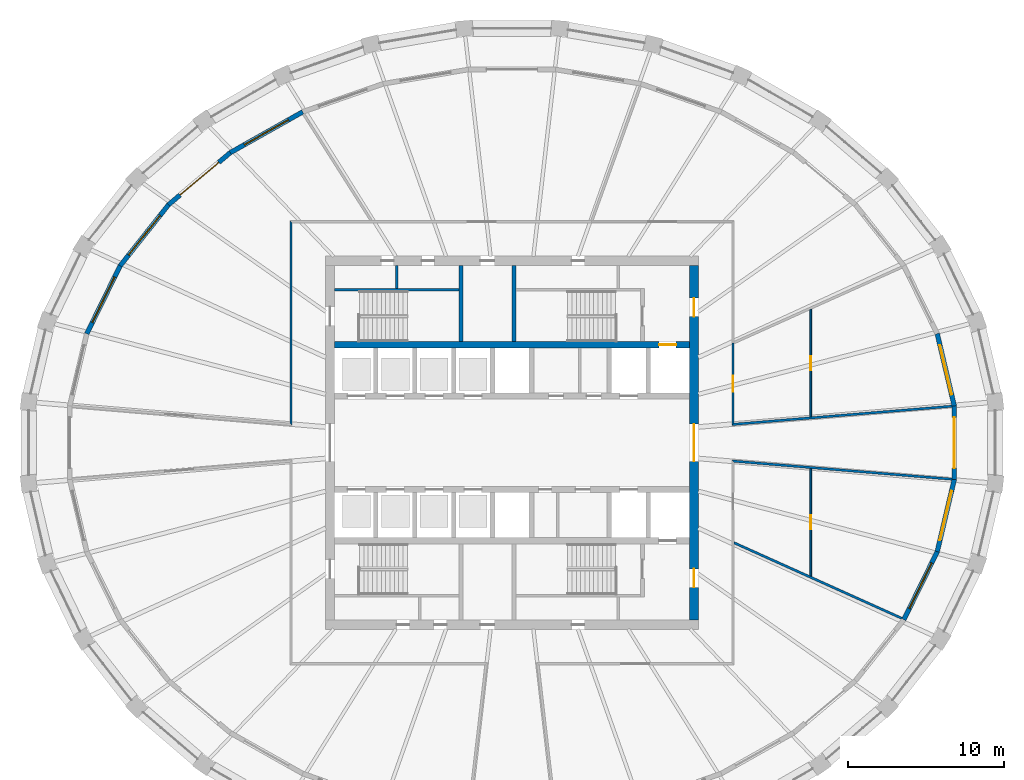
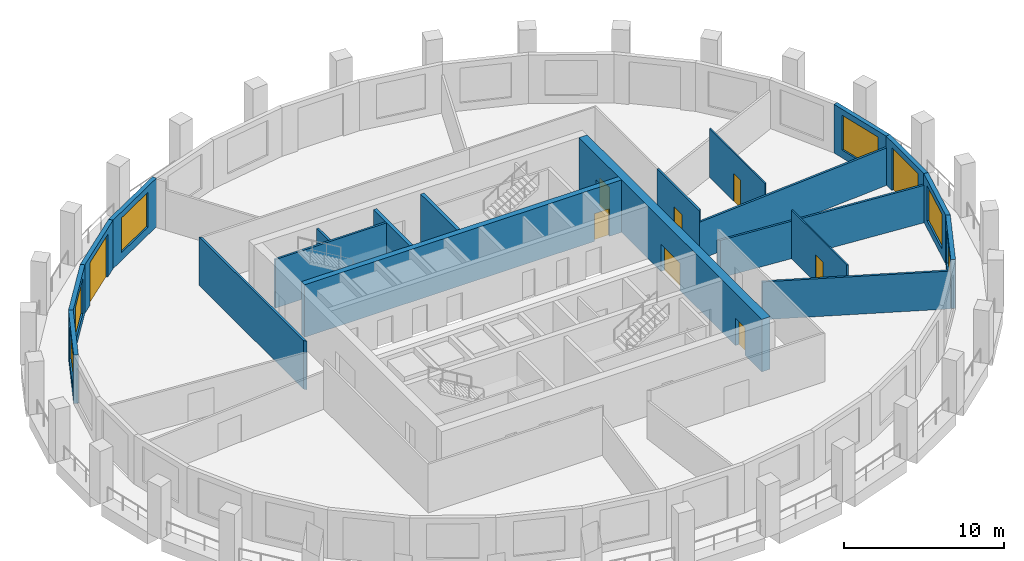
# One storey, part 5 of 10: 21 walls, 9 doors, 6 windows, 15 openings.
"""IFC4 building model written with IfcOpenShell, lengths in metres."""

from ifc_helpers import new_model, si_unit, direction, frame, frame_2d, origin, place, context, subcontext, project, spatial, polyline, rectangle, outline, extrude, material, layer, layer_set, type_object, element, fill, save


model = new_model("IFC4")

# Units and contexts
model_context = context("Model", 3, precision=1e-05, world=origin(), true_north=direction((0.0, 1.0)))
body_context = subcontext(model_context, "Body", "Model", "MODEL_VIEW")
ifc_project = project(units=[si_unit("LENGTHUNIT", "METRE"), si_unit("AREAUNIT", "SQUARE_METRE"), si_unit("VOLUMEUNIT", "CUBIC_METRE"), si_unit("PLANEANGLEUNIT", "RADIAN"), si_unit("MASSUNIT", "GRAM", prefix="KILO")], contexts=[model_context])

# Site, building, storey
site_placement = place(None, origin())
site = spatial("IfcSite", under=ifc_project, at=site_placement, CompositionType="ELEMENT")
building_placement = place(site_placement, origin())
building = spatial("IfcBuilding", under=site, at=building_placement, Name="Halqa Exchange Tower", CompositionType="ELEMENT")
storey_placement = place(building_placement, frame((0.0, 0.0, 242.89990234375)))
storey = spatial("IfcBuildingStorey", under=building, at=storey_placement, Name="L56", CompositionType="ELEMENT", Elevation=242.89990234375)

# Walls
ifc_material_1 = material(Name="Fire-rated gypsum board")
ifc_layer_1 = layer(ifc_material_1, 0.14990234375)
ifc_layer_set_1 = layer_set([ifc_layer_1], Name="Fire-rated gypsum board")
wall_type_1 = type_object("IfcWallType", Name="Fire partition EI 60 150", PredefinedType="PARTITIONING", material=ifc_layer_set_1)
wall_1_placement = place(storey_placement, frame((-14.199951171875, 1.098388671875, 0.0), z_axis=(0.0, 0.0, 1.0), x_axis=(0.0, 1.0, 0.0)))
element("IfcWall", 1, at=wall_1_placement, inside=storey, type_object=wall_type_1, Name="L56-PWL-004", PredefinedType="PARTITIONING", context=body_context, shape_type="SweptSolid", body=[
    extrude(outline(polyline([(0.000244140625, -0.074951171875), (1.861083984375, -0.074951171875), (3.721923828125, -0.074951171875), (5.5830078125, -0.074951171875), (7.44384765625, -0.074951171875), (9.3046875, -0.074951171875), (11.165771484375, -0.074951171875), (13.026611328125, -0.074951171875), (13.176513671875, 0.074951171875), (11.3173828125, 0.074951171875), (9.458251953125, 0.074951171875), (7.599365234375, 0.074951171875), (5.740234375, 0.074951171875), (3.881103515625, 0.074951171875), (2.02197265625, 0.074951171875), (0.1630859375, 0.074951171875), (0.000244140625, -0.074951171875)])), origin(), (0.0, 0.0, 1.0), 3.7001953125),
])
wall_2_placement = place(storey_placement, frame((14.24462890625, -6.420166015625, 0.0), z_axis=(0.0, 0.0, 1.0), x_axis=(0.911879517983, -0.410457969448, 0.0)))
element("IfcWall", 2, at=wall_2_placement, inside=storey, type_object=wall_type_1, Name="L56-PWL-014", PredefinedType="PARTITIONING", context=body_context, shape_type="SweptSolid", body=[
    extrude(outline(polyline([(0.067138671875, -0.074951171875), (2.029052734375, -0.074951171875), (3.9912109375, -0.074951171875), (5.953369140625, -0.074951171875), (7.91552734375, -0.074951171875), (9.877685546875, -0.074951171875), (11.83984375, -0.074951171875), (11.857666015625, -0.00390625), (11.8603515625, 0.074951171875), (10.232666015625, 0.074951171875), (8.604736328125, 0.074951171875), (6.97705078125, 0.074951171875), (5.349365234375, 0.074951171875), (5.34619140625, 0.073486328125), (5.345703125, 0.074951171875), (3.563720703125, 0.074951171875), (1.781982421875, 0.074951171875), (0.0, 0.074951171875), (0.0, 0.073974609375), (0.067138671875, -0.074951171875)])), origin(), (0.0, 0.0, 1.0), 2.880126953125),
])
wall_3_placement = place(storey_placement, frame((14.118896484375, -1.17333984375, 0.0), z_axis=(0.0, 0.0, 1.0), x_axis=(0.996590090632, -0.082511764333, 0.0)))
element("IfcWall", 3, at=wall_3_placement, inside=storey, type_object=wall_type_1, Name="L56-PWL-015", PredefinedType="PARTITIONING", context=body_context, shape_type="SweptSolid", body=[
    extrude(outline(polyline([(0.162841796875, -0.074951171875), (1.8232421875, -0.074951171875), (3.48388671875, -0.074951171875), (5.144287109375, -0.074951171875), (5.15478515625, -0.073974609375), (5.15478515625, -0.074951171875), (6.96240234375, -0.074951171875), (8.77001953125, -0.074951171875), (10.577392578125, -0.074951171875), (12.385009765625, -0.074951171875), (14.192626953125, -0.074951171875), (14.196533203125, -0.04833984375), (14.196533203125, 0.074951171875), (12.421875, 0.074951171875), (10.6474609375, 0.074951171875), (8.872802734375, 0.074951171875), (7.098388671875, 0.074951171875), (5.32373046875, 0.074951171875), (3.549072265625, 0.074951171875), (1.774658203125, 0.074951171875), (0.0, 0.074951171875), (0.081298828125, 0.0), (0.162841796875, -0.074951171875)])), origin(), (0.0, 0.0, 1.0), 2.85009765625),
])
wall_4_placement = place(storey_placement, frame((14.118896484375, 1.17333984375, 0.0), z_axis=(0.0, 0.0, 1.0), x_axis=(0.996590090632, 0.082511764333, 0.0)))
element("IfcWall", 4, at=wall_4_placement, inside=storey, type_object=wall_type_1, Name="L56-PWL-016", PredefinedType="PARTITIONING", context=body_context, shape_type="SweptSolid", body=[
    extrude(outline(polyline([(14.196533203125, -0.074951171875), (14.196533203125, 0.04833984375), (14.192626953125, 0.074951171875), (12.385009765625, 0.074951171875), (10.577392578125, 0.074951171875), (8.77001953125, 0.074951171875), (6.96240234375, 0.074951171875), (5.15478515625, 0.074951171875), (5.15478515625, 0.073974609375), (5.144287109375, 0.074951171875), (3.48388671875, 0.074951171875), (1.8232421875, 0.074951171875), (0.162841796875, 0.074951171875), (0.081298828125, 0.0), (0.0, -0.074951171875), (1.774658203125, -0.074951171875), (3.549072265625, -0.074951171875), (5.32373046875, -0.074951171875), (7.098388671875, -0.074951171875), (8.872802734375, -0.074951171875), (10.6474609375, -0.074951171875), (12.421875, -0.074951171875), (14.196533203125, -0.074951171875)])), origin(), (0.0, 0.0, 1.0), 2.85009765625),
])

# Wall, opening, door
wall_5_placement = place(storey_placement, frame((14.199951171875, 6.39990234375, 0.0), z_axis=(0.0, 0.0, 1.0), x_axis=(0.0, -1.0, 0.0)))
wall_5 = element("IfcWall", 5, at=wall_5_placement, inside=storey, type_object=wall_type_1, Name="L56-PWL-017", PredefinedType="PARTITIONING", context=body_context, shape_type="SweptSolid", body=[
    extrude(outline(polyline([(0.0, -0.074951171875), (1.76708984375, -0.074951171875), (3.5341796875, -0.074951171875), (5.30126953125, -0.074951171875), (5.138427734375, 0.074951171875), (3.42578125, 0.074951171875), (1.712890625, 0.074951171875), (0.0, 0.074951171875), (0.0, -0.074951171875)])), origin(), (0.0, 0.0, 1.0), 3.7001953125),
])
opening_1_placement = place(wall_5_placement, frame((2.110107421875, 0.0, 0.0)))
opening_1 = element("IfcOpeningElement", 6, at=opening_1_placement, cuts=wall_5, Name="Opening 17-04", PredefinedType="OPENING", context=body_context, shape_type="SweptSolid", body=[
    extrude(rectangle(XDim=1.0, YDim=2.10009765625, at=frame_2d((0.5, 1.050048828125))), frame((0.0, 0.0869140625, 0.0), z_axis=(0.0, -1.0, 0.0), x_axis=(1.0, 0.0, 0.0)), (0.0, 0.0, 1.0), 0.173828125),
])
ifc_material_2 = material(Name="Steel fire door leaf", Category="steel")
door_type_1 = type_object("IfcDoorType", Name="Fire door FD30S 1000 x 2100", OperationType="SINGLE_SWING_LEFT", PredefinedType="DOOR", material=ifc_material_2)
door_1_placement = place(opening_1_placement, origin())
door_1 = element("IfcDoor", 7, at=door_1_placement, inside=storey, type_object=door_type_1, Name="L56-IDR-004", OperationType="SINGLE_SWING_RIGHT", OverallHeight=2.10009765625, OverallWidth=1.0, PredefinedType="DOOR", context=body_context, shape_type="SweptSolid", body=[
    extrude(rectangle(XDim=1.0, YDim=2.10009765625, at=frame_2d((0.5, 1.050048828125))), frame((0.0, 0.02490234375, 0.0), z_axis=(0.0, -1.0, 0.0), x_axis=(1.0, 0.0, 0.0)), (0.0, 0.0, 1.0), 0.050048828125),
])
fill(opening_1, door_1)

ifc_material_3 = material(Name="Gypsum board")
ifc_layer_2 = layer(ifc_material_3, 0.10009765625)
ifc_layer_set_2 = layer_set([ifc_layer_2], Name="Gypsum board")
wall_type_2 = type_object("IfcWallType", Name="Partition 100 gypsum", PredefinedType="PARTITIONING", material=ifc_layer_set_2)
wall_6_placement = place(storey_placement, frame((19.199951171875, -1.66552734375, 0.0), z_axis=(0.0, 0.0, 1.0), x_axis=(0.0, -1.0, 0.0)))
wall_6 = element("IfcWall", 8, at=wall_6_placement, inside=storey, type_object=wall_type_2, Name="L56-PWL-020", PredefinedType="PARTITIONING", context=body_context, shape_type="SweptSolid", body=[
    extrude(outline(polyline([(0.0, -0.050048828125), (1.719970703125, -0.050048828125), (3.440185546875, -0.050048828125), (5.16015625, -0.050048828125), (6.88037109375, -0.050048828125), (6.925048828125, 0.04931640625), (6.925048828125, 0.050048828125), (5.19580078125, 0.050048828125), (3.466552734375, 0.050048828125), (1.737060546875, 0.050048828125), (0.0078125, 0.050048828125), (0.0, -0.044921875), (0.0, -0.050048828125)])), origin(), (0.0, 0.0, 1.0), 3.7001953125),
])
opening_2_placement = place(wall_6_placement, frame((3.00439453125, 0.0, 0.0)))
opening_2 = element("IfcOpeningElement", 9, at=opening_2_placement, cuts=wall_6, Name="Opening 17-08", PredefinedType="OPENING", context=body_context, shape_type="SweptSolid", body=[
    extrude(rectangle(XDim=0.89990234375, YDim=2.10009765625, at=frame_2d((0.449951171875, 1.050048828125))), frame((0.0, 0.06201171875, 0.0), z_axis=(0.0, -1.0, 0.0), x_axis=(1.0, 0.0, 0.0)), (0.0, 0.0, 1.0), 0.1240234375),
])
ifc_material_4 = material(Name="Timber door leaf", Category="wood")
door_type_2 = type_object("IfcDoorType", Name="Door 900 x 2100", OperationType="SINGLE_SWING_LEFT", PredefinedType="DOOR", material=ifc_material_4)
door_2_placement = place(opening_2_placement, frame((0.89990234375, 0.0, 0.0), z_axis=(0.0, 0.0, 1.0), x_axis=(-1.0, 0.0, 0.0)))
door_2 = element("IfcDoor", 10, at=door_2_placement, inside=storey, type_object=door_type_2, Name="L56-IDR-008", OperationType="SINGLE_SWING_RIGHT", OverallHeight=2.10009765625, OverallWidth=0.89990234375, PredefinedType="DOOR", context=body_context, shape_type="SweptSolid", body=[
    extrude(rectangle(XDim=0.89990234375, YDim=2.10009765625, at=frame_2d((0.449951171875, 1.050048828125))), frame((0.0, 0.02490234375, 0.0), z_axis=(0.0, -1.0, 0.0), x_axis=(1.0, 0.0, 0.0)), (0.0, 0.0, 1.0), 0.050048828125),
])
fill(opening_2, door_2)

wall_7_placement = place(storey_placement, frame((19.199951171875, 8.590087890625, 0.0), z_axis=(0.0, 0.0, 1.0), x_axis=(0.0, -1.0, 0.0)))
wall_7 = element("IfcWall", 11, at=wall_7_placement, inside=storey, type_object=wall_type_2, Name="L56-PWL-021", PredefinedType="PARTITIONING", context=body_context, shape_type="SweptSolid", body=[
    extrude(outline(polyline([(6.924560546875, -0.050048828125), (6.924560546875, -0.044921875), (6.916748046875, 0.050048828125), (5.1875, 0.050048828125), (3.458251953125, 0.050048828125), (1.729248046875, 0.050048828125), (0.0, 0.050048828125), (0.0, 0.049560546875), (0.044921875, -0.050048828125), (1.7646484375, -0.050048828125), (3.484619140625, -0.050048828125), (5.20458984375, -0.050048828125), (6.924560546875, -0.050048828125)])), origin(), (0.0, 0.0, 1.0), 3.7001953125),
])
opening_3_placement = place(wall_7_placement, frame((3.02001953125, 0.0, 0.0)))
opening_3 = element("IfcOpeningElement", 12, at=opening_3_placement, cuts=wall_7, Name="Opening 17-09", PredefinedType="OPENING", context=body_context, shape_type="SweptSolid", body=[
    extrude(rectangle(XDim=0.89990234375, YDim=2.10009765625, at=frame_2d((0.449951171875, 1.050048828125))), frame((0.0, 0.06201171875, 0.0), z_axis=(0.0, -1.0, 0.0), x_axis=(1.0, 0.0, 0.0)), (0.0, 0.0, 1.0), 0.1240234375),
])
door_3_placement = place(opening_3_placement, frame((0.89990234375, 0.0, 0.0), z_axis=(0.0, 0.0, 1.0), x_axis=(-1.0, 0.0, 0.0)))
door_3 = element("IfcDoor", 13, at=door_3_placement, inside=storey, type_object=door_type_2, Name="L56-IDR-009", OperationType="SINGLE_SWING_RIGHT", OverallHeight=2.10009765625, OverallWidth=0.89990234375, PredefinedType="DOOR", context=body_context, shape_type="SweptSolid", body=[
    extrude(rectangle(XDim=0.89990234375, YDim=2.10009765625, at=frame_2d((0.449951171875, 1.050048828125))), frame((0.0, 0.02490234375, 0.0), z_axis=(0.0, -1.0, 0.0), x_axis=(1.0, 0.0, 0.0)), (0.0, 0.0, 1.0), 0.050048828125),
])
fill(opening_3, door_3)

# Wall
ifc_layer_3 = layer(ifc_material_3, 0.14990234375)
ifc_layer_set_3 = layer_set([ifc_layer_3], Name="Gypsum board")
wall_type_3 = type_object("IfcWallType", Name="Penthouse riser wall 150 gypsum", PredefinedType="PARTITIONING", material=ifc_layer_set_3)
wall_8_placement = place(storey_placement, frame((-7.39990234375, 9.89990234375, 0.0), z_axis=(0.0, 0.0, 1.0), x_axis=(0.0, 1.0, 0.0)))
element("IfcWall", 14, at=wall_8_placement, inside=storey, type_object=wall_type_3, Name="Partition W7.400 N", PredefinedType="PARTITIONING", context=body_context, shape_type="SweptSolid", body=[
    extrude(rectangle(XDim=1.5, YDim=0.14990234375, at=frame_2d((0.75, 0.0))), origin(), (0.0, 0.0, 1.0), 3.7001953125),
])

# Wall, opening, door
ifc_material_5 = material(Name="Concrete C70/85", Category="concrete")
ifc_layer_4 = layer(ifc_material_5, 0.39990234375)
ifc_layer_set_4 = layer_set([ifc_layer_4], Name="Concrete C70/85")
wall_type_4 = type_object("IfcWallType", Name="RC core wall 400 C70/85", PredefinedType="SHEAR", material=ifc_layer_set_4)
wall_9_placement = place(storey_placement, frame((-11.39990234375, 6.300048828125, 0.0), z_axis=(0.0, 0.0, 1.0), x_axis=(1.0, 0.0, 0.0)))
wall_9 = element("IfcWall", 15, at=wall_9_placement, inside=storey, type_object=wall_type_4, Name="Lift row back wall N", PredefinedType="SHEAR", context=body_context, shape_type="SweptSolid", body=[
    extrude(rectangle(XDim=22.7998046875, YDim=0.39990234375, at=frame_2d((11.39990234375, 0.0))), origin(), (0.0, 0.0, 1.0), 4.0),
])
opening_4_placement = place(wall_9_placement, frame((20.85009765625, 0.0, 0.0)))
opening_4 = element("IfcOpeningElement", 16, at=opening_4_placement, cuts=wall_9, Name="Opening LD-FF1-T17", PredefinedType="OPENING", context=body_context, shape_type="SweptSolid", body=[
    extrude(rectangle(XDim=1.10009765625, YDim=2.10009765625, at=frame_2d((0.550048828125, 1.050048828125))), frame((0.0, 0.2119140625, 0.0), z_axis=(0.0, -1.0, 0.0), x_axis=(1.0, 0.0, 0.0)), (0.0, 0.0, 1.0), 0.423828125),
])
ifc_material_6 = material(Name="Stainless steel", Category="steel")
door_type_3 = type_object("IfcDoorType", Name="Lift landing door 1100 x 2100", OperationType="SLIDING_TO_LEFT", PredefinedType="DOOR", material=ifc_material_6)
door_4_placement = place(opening_4_placement, origin())
door_4 = element("IfcDoor", 17, at=door_4_placement, inside=storey, type_object=door_type_3, Name="Lift landing door FF1", OperationType="SLIDING_TO_LEFT", OverallHeight=2.10009765625, OverallWidth=1.10009765625, PredefinedType="DOOR", context=body_context, shape_type="SweptSolid", body=[
    extrude(rectangle(XDim=1.10009765625, YDim=2.10009765625, at=frame_2d((0.550048828125, 1.050048828125))), frame((0.0, 0.02490234375, 0.0), z_axis=(0.0, -1.0, 0.0), x_axis=(1.0, 0.0, 0.0)), (0.0, 0.0, 1.0), 0.050048828125),
])
fill(opening_4, door_4)

# Wall, openings, doors
ifc_layer_5 = layer(ifc_material_5, 0.60009765625)
ifc_layer_set_5 = layer_set([ifc_layer_5], Name="Concrete C70/85")
wall_type_5 = type_object("IfcWallType", Name="RC core wall 600 C70/85", PredefinedType="SHEAR", material=ifc_layer_set_5)
wall_10_placement = place(storey_placement, frame((11.699951171875, -11.39990234375, 0.0), z_axis=(0.0, 0.0, 1.0), x_axis=(0.0, 1.0, 0.0)))
wall_10 = element("IfcWall", 18, at=wall_10_placement, inside=storey, type_object=wall_type_5, Name="Core wall east", PredefinedType="SHEAR", context=body_context, shape_type="SweptSolid", body=[
    extrude(rectangle(XDim=22.7998046875, YDim=0.60009765625, at=frame_2d((11.39990234375, 0.0))), origin(), (0.0, 0.0, 1.0), 4.0),
])
opening_5_placement = place(wall_10_placement, frame((10.199951171875, 0.0, 0.0)))
opening_5 = element("IfcOpeningElement", 19, at=opening_5_placement, cuts=wall_10, Name="Opening T17-C14", PredefinedType="OPENING", context=body_context, shape_type="SweptSolid", body=[
    extrude(rectangle(XDim=2.39990234375, YDim=2.10009765625, at=frame_2d((1.199951171875, 1.050048828125))), frame((0.0, 0.31201171875, 0.0), z_axis=(0.0, -1.0, 0.0), x_axis=(1.0, 0.0, 0.0)), (0.0, 0.0, 1.0), 0.6240234375),
])
opening_6_placement = place(wall_10_placement, frame((19.5, 0.0, 0.0)))
opening_6 = element("IfcOpeningElement", 20, at=opening_6_placement, cuts=wall_10, Name="Opening T17-C19", PredefinedType="OPENING", context=body_context, shape_type="SweptSolid", body=[
    extrude(rectangle(XDim=1.199951171875, YDim=2.10009765625, at=frame_2d((0.60009765625, 1.050048828125))), frame((0.0, 0.31201171875, 0.0), z_axis=(0.0, -1.0, 0.0), x_axis=(1.0, 0.0, 0.0)), (0.0, 0.0, 1.0), 0.6240234375),
])
opening_7_placement = place(wall_10_placement, frame((2.10009765625, 0.0, 0.0)))
opening_7 = element("IfcOpeningElement", 21, at=opening_7_placement, cuts=wall_10, Name="Opening T17-C20", PredefinedType="OPENING", context=body_context, shape_type="SweptSolid", body=[
    extrude(rectangle(XDim=1.199951171875, YDim=2.10009765625, at=frame_2d((0.60009765625, 1.050048828125))), frame((0.0, 0.31201171875, 0.0), z_axis=(0.0, -1.0, 0.0), x_axis=(1.0, 0.0, 0.0)), (0.0, 0.0, 1.0), 0.6240234375),
])
door_type_4 = type_object("IfcDoorType", Name="Firefighting lobby door FD90 1200 x 2100", OperationType="SINGLE_SWING_RIGHT", PredefinedType="DOOR", material=ifc_material_2)
door_5_placement = place(opening_6_placement, origin())
door_5 = element("IfcDoor", 22, at=door_5_placement, inside=storey, type_object=door_type_4, Name="Firefighting lobby door", OperationType="SINGLE_SWING_RIGHT", OverallHeight=2.10009765625, OverallWidth=1.199951171875, PredefinedType="DOOR", context=body_context, shape_type="SweptSolid", body=[
    extrude(rectangle(XDim=1.199951171875, YDim=2.10009765625, at=frame_2d((0.60009765625, 1.050048828125))), frame((0.0, 0.02490234375, 0.0), z_axis=(0.0, -1.0, 0.0), x_axis=(1.0, 0.0, 0.0)), (0.0, 0.0, 1.0), 0.050048828125),
])
fill(opening_6, door_5)
door_6_placement = place(opening_7_placement, origin())
door_6 = element("IfcDoor", 23, at=door_6_placement, inside=storey, type_object=door_type_4, Name="Firefighting lobby door", OperationType="SINGLE_SWING_LEFT", OverallHeight=2.10009765625, OverallWidth=1.199951171875, PredefinedType="DOOR", context=body_context, shape_type="SweptSolid", body=[
    extrude(rectangle(XDim=1.199951171875, YDim=2.10009765625, at=frame_2d((0.60009765625, 1.050048828125))), frame((0.0, 0.02490234375, 0.0), z_axis=(0.0, -1.0, 0.0), x_axis=(1.0, 0.0, 0.0)), (0.0, 0.0, 1.0), 0.050048828125),
])
fill(opening_7, door_6)
door_type_5 = type_object("IfcDoorType", Name="Lobby double door FD60 2400 x 2100", OperationType="DOUBLE_DOOR_SINGLE_SWING", PredefinedType="DOOR", material=ifc_material_2)
door_7_placement = place(opening_5_placement, origin())
door_7 = element("IfcDoor", 24, at=door_7_placement, inside=storey, type_object=door_type_5, Name="Lift lobby double door", OperationType="DOUBLE_DOOR_SINGLE_SWING", OverallHeight=2.10009765625, OverallWidth=2.39990234375, PredefinedType="DOOR", context=body_context, shape_type="SweptSolid", body=[
    extrude(rectangle(XDim=2.39990234375, YDim=2.10009765625, at=frame_2d((1.199951171875, 1.050048828125))), frame((0.0, 0.02490234375, 0.0), z_axis=(0.0, -1.0, 0.0), x_axis=(1.0, 0.0, 0.0)), (0.0, 0.0, 1.0), 0.050048828125),
])
fill(opening_5, door_7)

# Walls
ifc_material_7 = material(Name="Concrete C30/37", Category="concrete")
ifc_layer_6 = layer(ifc_material_7, 0.14990234375)
ifc_layer_set_6 = layer_set([ifc_layer_6], Name="Concrete C30/37")
wall_type_6 = type_object("IfcWallType", Name="RC stair wall 150 C30/37", PredefinedType="SHEAR", material=ifc_layer_set_6)
wall_11_placement = place(storey_placement, frame((-11.39990234375, 9.824951171875, 0.0), z_axis=(0.0, 0.0, 1.0), x_axis=(1.0, 0.0, 0.0)))
element("IfcWall", 25, at=wall_11_placement, inside=storey, type_object=wall_type_6, Name="Stair ST1 north wall N", PredefinedType="SHEAR", context=body_context, shape_type="SweptSolid", body=[
    extrude(rectangle(XDim=8.0, YDim=0.14990234375, at=frame_2d((4.0, 0.0))), origin(), (0.0, 0.0, 1.0), 3.7001953125),
])
ifc_layer_7 = layer(ifc_material_7, 0.25)
ifc_layer_set_7 = layer_set([ifc_layer_7], Name="Concrete C30/37")
wall_type_7 = type_object("IfcWallType", Name="RC stair wall 250 C30/37", PredefinedType="SHEAR", material=ifc_layer_set_7)
for number, where, z_axis, x_axis, name in (
    (26, (-3.27490234375, 6.5, 0.0), (0.0, 0.0, 1.0), (0.0, 1.0, 0.0), "Stair ST1 east wall N"),
    (27, (0.125, 6.5, 0.0), (0.0, 0.0, 1.0), (0.0, 1.0, 0.0), "Stair ST2 west wall N"),
):
    element("IfcWall", number, at=place(storey_placement, frame(where, z_axis=z_axis, x_axis=x_axis)), inside=storey, type_object=wall_type_7, Name=name, PredefinedType="SHEAR", context=body_context, shape_type="SweptSolid", body=[
        extrude(rectangle(XDim=4.89990234375, YDim=0.25, at=frame_2d((2.449951171875, 0.0))), origin(), (0.0, 0.0, 1.0), 3.7001953125),
    ])

# Wall, opening, window
ifc_material_8 = material(Name="Limestone cladding", Category="masonry")
ifc_layer_8 = layer(ifc_material_8, 0.0400390625)
ifc_material_9 = material(Name="Ventilated cavity")
ifc_layer_9 = layer(ifc_material_9, 0.030029296875, ventilated=True)
ifc_material_10 = material(Name="Mineral wool insulation")
ifc_layer_10 = layer(ifc_material_10, 0.10009765625)
ifc_layer_11 = layer(ifc_material_7, 0.10009765625)
ifc_material_11 = material(Name="Internal plaster")
ifc_layer_12 = layer(ifc_material_11, 0.030029296875)
ifc_layer_set_8 = layer_set([ifc_layer_8, ifc_layer_9, ifc_layer_10, ifc_layer_11, ifc_layer_12], Name="Stone-faced insulated wall 300")
wall_type_8 = type_object("IfcWallType", Name="Stone-faced insulated wall 300", PredefinedType="STANDARD", material=ifc_layer_set_8)
wall_12_placement = place(storey_placement, frame((28.423583984375, 2.365234375, 0.0), z_axis=(0.0, 0.0, 1.0), x_axis=(-0.229593205094, 0.973286679337, 0.0)))
wall_12 = element("IfcWall", 28, at=wall_12_placement, inside=storey, type_object=wall_type_8, Name="Glass-line wall 1", PredefinedType="STANDARD", context=body_context, shape_type="SweptSolid", body=[
    extrude(outline(polyline([(-0.017578125, -0.14990234375), (4.78271484375, -0.14990234375), (4.7490234375, 0.14990234375), (0.017578125, 0.14990234375), (-0.017578125, -0.14990234375)])), origin(), (0.0, 0.0, 1.0), 3.7001953125),
])
opening_8_placement = place(wall_12_placement, frame((0.758056640625, 0.0, 0.60009765625)))
opening_8 = element("IfcOpeningElement", 29, at=opening_8_placement, cuts=wall_12, Name="Opening W-F3-01", PredefinedType="OPENING", context=body_context, shape_type="SweptSolid", body=[
    extrude(rectangle(XDim=3.25, YDim=2.64990234375, at=frame_2d((1.625, 1.324951171875))), frame((0.0, 0.162109375, 0.0), z_axis=(0.0, -1.0, 0.0), x_axis=(1.0, 0.0, 0.0)), (0.0, 0.0, 1.0), 0.323974609375),
])
ifc_material_12 = material(Name="Clear low-emissivity glass in aluminium frame", Category="aluminium")
window_type = type_object("IfcWindowType", Name="Fixed clear glazed window 3250 x 2650", PartitioningType="TRIPLE_PANEL_VERTICAL", PredefinedType="WINDOW", material=ifc_material_12)
window_1_placement = place(opening_8_placement, origin())
window_1 = element("IfcWindow", 30, at=window_1_placement, inside=storey, type_object=window_type, Name="Window 3", OverallHeight=2.64990234375, OverallWidth=3.25, PartitioningType="TRIPLE_PANEL_VERTICAL", PredefinedType="WINDOW", context=body_context, shape_type="SweptSolid", body=[
    extrude(rectangle(XDim=3.25, YDim=2.64990234375, at=frame_2d((1.625, 1.324951171875))), frame((0.0, 0.030029296875, 0.0), z_axis=(0.0, -1.0, 0.0), x_axis=(1.0, 0.0, 0.0)), (0.0, 0.0, 1.0), 0.06005859375),
])
fill(opening_8, window_1)

wall_13_placement = place(storey_placement, frame((-13.45458984375, 21.260986328125, 0.0), z_axis=(0.0, 0.0, 1.0), x_axis=(-0.871275151053, -0.490794876865, 0.0)))
wall_13 = element("IfcWall", 31, at=wall_13_placement, inside=storey, type_object=wall_type_8, Name="Glass-line wall 11", PredefinedType="STANDARD", context=body_context, shape_type="SweptSolid", body=[
    extrude(outline(polyline([(-0.013427734375, -0.14990234375), (5.356689453125, -0.14990234375), (5.328369140625, 0.14990234375), (0.013427734375, 0.14990234375), (-0.013427734375, -0.14990234375)])), origin(), (0.0, 0.0, 1.0), 3.7001953125),
])
opening_9_placement = place(wall_13_placement, frame((1.046142578125, 0.0, 0.60009765625)))
opening_9 = element("IfcOpeningElement", 32, at=opening_9_placement, cuts=wall_13, Name="Opening W-F3-11", PredefinedType="OPENING", context=body_context, shape_type="SweptSolid", body=[
    extrude(rectangle(XDim=3.25, YDim=2.64990234375, at=frame_2d((1.625, 1.324951171875))), frame((0.0, 0.162109375, 0.0), z_axis=(0.0, -1.0, 0.0), x_axis=(1.0, 0.0, 0.0)), (0.0, 0.0, 1.0), 0.323974609375),
])
window_2_placement = place(opening_9_placement, origin())
window_2 = element("IfcWindow", 33, at=window_2_placement, inside=storey, type_object=window_type, Name="Window 3", OverallHeight=2.64990234375, OverallWidth=3.25, PartitioningType="TRIPLE_PANEL_VERTICAL", PredefinedType="WINDOW", context=body_context, shape_type="SweptSolid", body=[
    extrude(rectangle(XDim=3.25, YDim=2.64990234375, at=frame_2d((1.625, 1.324951171875))), frame((0.0, 0.030029296875, 0.0), z_axis=(0.0, -1.0, 0.0), x_axis=(1.0, 0.0, 0.0)), (0.0, 0.0, 1.0), 0.06005859375),
])
fill(opening_9, window_2)

# Wall, opening, door
wall_14_placement = place(storey_placement, frame((-18.109375, 18.638916015625, 0.0), z_axis=(0.0, 0.0, 1.0), x_axis=(-0.764530975429, -0.644586989948, 0.0)))
wall_14 = element("IfcWall", 34, at=wall_14_placement, inside=storey, type_object=wall_type_8, Name="Glass-line wall 12", PredefinedType="STANDARD", context=body_context, shape_type="SweptSolid", body=[
    extrude(outline(polyline([(-0.01416015625, -0.14990234375), (5.1953125, -0.14990234375), (5.1650390625, 0.14990234375), (0.01416015625, 0.14990234375), (-0.01416015625, -0.14990234375)])), origin(), (0.0, 0.0, 1.0), 3.7001953125),
])
opening_10_placement = place(wall_14_placement, frame((0.965087890625, 0.0, 0.0)))
opening_10 = element("IfcOpeningElement", 35, at=opening_10_placement, cuts=wall_14, Name="Opening LG-F3-03", PredefinedType="OPENING", context=body_context, shape_type="SweptSolid", body=[
    extrude(rectangle(XDim=3.25, YDim=3.25, at=frame_2d((1.625, 1.625))), frame((0.0, 0.162109375, 0.0), z_axis=(0.0, -1.0, 0.0), x_axis=(1.0, 0.0, 0.0)), (0.0, 0.0, 1.0), 0.323974609375),
])
door_type_6 = type_object("IfcDoorType", Name="Glazed sliding loggia door 3250 x 3250", OperationType="DOUBLE_DOOR_SLIDING", PredefinedType="DOOR", material=ifc_material_12)
door_8_placement = place(opening_10_placement, origin())
door_8 = element("IfcDoor", 36, at=door_8_placement, inside=storey, type_object=door_type_6, Name="Loggia door 3", OperationType="DOUBLE_DOOR_SLIDING", OverallHeight=3.25, OverallWidth=3.25, PredefinedType="DOOR", context=body_context, shape_type="SweptSolid", body=[
    extrude(rectangle(XDim=3.25, YDim=3.25, at=frame_2d((1.625, 1.625))), frame((0.0, 0.02490234375, 0.0), z_axis=(0.0, -1.0, 0.0), x_axis=(1.0, 0.0, 0.0)), (0.0, 0.0, 1.0), 0.050048828125),
])
fill(opening_10, door_8)

# Wall, opening, window
wall_15_placement = place(storey_placement, frame((-22.06982421875, 15.2998046875, 0.0), z_axis=(0.0, 0.0, 1.0), x_axis=(-0.621130746167, -0.783706958094, 0.0)))
wall_15 = element("IfcWall", 37, at=wall_15_placement, inside=storey, type_object=wall_type_8, Name="Glass-line wall 13", PredefinedType="STANDARD", context=body_context, shape_type="SweptSolid", body=[
    extrude(outline(polyline([(-0.01513671875, -0.14990234375), (5.02880859375, -0.14990234375), (4.99658203125, 0.14990234375), (0.01513671875, 0.14990234375), (-0.01513671875, -0.14990234375)])), origin(), (0.0, 0.0, 1.0), 3.7001953125),
])
opening_11_placement = place(wall_15_placement, frame((0.88134765625, 0.0, 0.60009765625)))
opening_11 = element("IfcOpeningElement", 38, at=opening_11_placement, cuts=wall_15, Name="Opening W-F3-13", PredefinedType="OPENING", context=body_context, shape_type="SweptSolid", body=[
    extrude(rectangle(XDim=3.25, YDim=2.64990234375, at=frame_2d((1.625, 1.324951171875))), frame((0.0, 0.162109375, 0.0), z_axis=(0.0, -1.0, 0.0), x_axis=(1.0, 0.0, 0.0)), (0.0, 0.0, 1.0), 0.323974609375),
])
window_3_placement = place(opening_11_placement, origin())
window_3 = element("IfcWindow", 39, at=window_3_placement, inside=storey, type_object=window_type, Name="Window 3", OverallHeight=2.64990234375, OverallWidth=3.25, PartitioningType="TRIPLE_PANEL_VERTICAL", PredefinedType="WINDOW", context=body_context, shape_type="SweptSolid", body=[
    extrude(rectangle(XDim=3.25, YDim=2.64990234375, at=frame_2d((1.625, 1.324951171875))), frame((0.0, 0.030029296875, 0.0), z_axis=(0.0, -1.0, 0.0), x_axis=(1.0, 0.0, 0.0)), (0.0, 0.0, 1.0), 0.06005859375),
])
fill(opening_11, window_3)

wall_16_placement = place(storey_placement, frame((-25.183349609375, 11.371337890625, 0.0), z_axis=(0.0, 0.0, 1.0), x_axis=(-0.441001730708, -0.897506252632, 0.0)))
wall_16 = element("IfcWall", 40, at=wall_16_placement, inside=storey, type_object=wall_type_8, Name="Glass-line wall 14", PredefinedType="STANDARD", context=body_context, shape_type="SweptSolid", body=[
    extrude(outline(polyline([(-0.01611328125, -0.14990234375), (4.883056640625, -0.14990234375), (4.849365234375, 0.14990234375), (0.01611328125, 0.14990234375), (-0.01611328125, -0.14990234375)])), origin(), (0.0, 0.0, 1.0), 3.7001953125),
])
opening_12_placement = place(wall_16_placement, frame((0.80810546875, 0.0, 0.60009765625)))
opening_12 = element("IfcOpeningElement", 41, at=opening_12_placement, cuts=wall_16, Name="Opening W-F3-14", PredefinedType="OPENING", context=body_context, shape_type="SweptSolid", body=[
    extrude(rectangle(XDim=3.25, YDim=2.64990234375, at=frame_2d((1.625, 1.324951171875))), frame((0.0, 0.162109375, 0.0), z_axis=(0.0, -1.0, 0.0), x_axis=(1.0, 0.0, 0.0)), (0.0, 0.0, 1.0), 0.323974609375),
])
window_4_placement = place(opening_12_placement, origin())
window_4 = element("IfcWindow", 42, at=window_4_placement, inside=storey, type_object=window_type, Name="Window 3", OverallHeight=2.64990234375, OverallWidth=3.25, PartitioningType="TRIPLE_PANEL_VERTICAL", PredefinedType="WINDOW", context=body_context, shape_type="SweptSolid", body=[
    extrude(rectangle(XDim=3.25, YDim=2.64990234375, at=frame_2d((1.625, 1.324951171875))), frame((0.0, 0.030029296875, 0.0), z_axis=(0.0, -1.0, 0.0), x_axis=(1.0, 0.0, 0.0)), (0.0, 0.0, 1.0), 0.06005859375),
])
fill(opening_12, window_4)

wall_17_placement = place(storey_placement, frame((25.183349609375, -11.371337890625, 0.0), z_axis=(0.0, 0.0, 1.0), x_axis=(0.441001730708, 0.897506252632, 0.0)))
wall_17 = element("IfcWall", 43, at=wall_17_placement, inside=storey, type_object=wall_type_8, Name="Glass-line wall 30", PredefinedType="STANDARD", context=body_context, shape_type="SweptSolid", body=[
    extrude(outline(polyline([(-0.01611328125, -0.14990234375), (4.883056640625, -0.14990234375), (4.849365234375, 0.14990234375), (0.01611328125, 0.14990234375), (-0.01611328125, -0.14990234375)])), origin(), (0.0, 0.0, 1.0), 3.7001953125),
])
opening_13_placement = place(wall_17_placement, frame((0.80810546875, 0.0, 0.60009765625)))
opening_13 = element("IfcOpeningElement", 44, at=opening_13_placement, cuts=wall_17, Name="Opening W-F3-30", PredefinedType="OPENING", context=body_context, shape_type="SweptSolid", body=[
    extrude(rectangle(XDim=3.25, YDim=2.64990234375, at=frame_2d((1.625, 1.324951171875))), frame((0.0, 0.162109375, 0.0), z_axis=(0.0, -1.0, 0.0), x_axis=(1.0, 0.0, 0.0)), (0.0, 0.0, 1.0), 0.323974609375),
])
window_5_placement = place(opening_13_placement, origin())
window_5 = element("IfcWindow", 45, at=window_5_placement, inside=storey, type_object=window_type, Name="Window 3", OverallHeight=2.64990234375, OverallWidth=3.25, PartitioningType="TRIPLE_PANEL_VERTICAL", PredefinedType="WINDOW", context=body_context, shape_type="SweptSolid", body=[
    extrude(rectangle(XDim=3.25, YDim=2.64990234375, at=frame_2d((1.625, 1.324951171875))), frame((0.0, 0.030029296875, 0.0), z_axis=(0.0, -1.0, 0.0), x_axis=(1.0, 0.0, 0.0)), (0.0, 0.0, 1.0), 0.06005859375),
])
fill(opening_13, window_5)

wall_18_placement = place(storey_placement, frame((27.329345703125, -7.00390625, 0.0), z_axis=(0.0, 0.0, 1.0), x_axis=(0.229593205094, 0.973286679337, 0.0)))
wall_18 = element("IfcWall", 46, at=wall_18_placement, inside=storey, type_object=wall_type_8, Name="Glass-line wall 31", PredefinedType="STANDARD", context=body_context, shape_type="SweptSolid", body=[
    extrude(outline(polyline([(-0.016845703125, -0.14990234375), (4.783447265625, -0.14990234375), (4.748291015625, 0.14990234375), (0.016845703125, 0.14990234375), (-0.016845703125, -0.14990234375)])), origin(), (0.0, 0.0, 1.0), 3.7001953125),
])
opening_14_placement = place(wall_18_placement, frame((0.758056640625, 0.0, 0.60009765625)))
opening_14 = element("IfcOpeningElement", 47, at=opening_14_placement, cuts=wall_18, Name="Opening W-F3-31", PredefinedType="OPENING", context=body_context, shape_type="SweptSolid", body=[
    extrude(rectangle(XDim=3.25, YDim=2.64990234375, at=frame_2d((1.625, 1.324951171875))), frame((0.0, 0.162109375, 0.0), z_axis=(0.0, -1.0, 0.0), x_axis=(1.0, 0.0, 0.0)), (0.0, 0.0, 1.0), 0.323974609375),
])
window_6_placement = place(opening_14_placement, origin())
window_6 = element("IfcWindow", 48, at=window_6_placement, inside=storey, type_object=window_type, Name="Window 3", OverallHeight=2.64990234375, OverallWidth=3.25, PartitioningType="TRIPLE_PANEL_VERTICAL", PredefinedType="WINDOW", context=body_context, shape_type="SweptSolid", body=[
    extrude(rectangle(XDim=3.25, YDim=2.64990234375, at=frame_2d((1.625, 1.324951171875))), frame((0.0, 0.030029296875, 0.0), z_axis=(0.0, -1.0, 0.0), x_axis=(1.0, 0.0, 0.0)), (0.0, 0.0, 1.0), 0.06005859375),
])
fill(opening_14, window_6)

# Wall, opening, door
wall_19_placement = place(storey_placement, frame((28.423583984375, -2.365234375, 0.0), z_axis=(0.0, 0.0, 1.0), x_axis=(0.0, 1.0, 0.0)))
wall_19 = element("IfcWall", 49, at=wall_19_placement, inside=storey, type_object=wall_type_8, Name="Glass-line wall 32", PredefinedType="STANDARD", context=body_context, shape_type="SweptSolid", body=[
    extrude(outline(polyline([(-0.017578125, -0.14990234375), (4.748046875, -0.14990234375), (4.712890625, 0.14990234375), (0.017578125, 0.14990234375), (-0.017578125, -0.14990234375)])), origin(), (0.0, 0.0, 1.0), 3.7001953125),
])
opening_15_placement = place(wall_19_placement, frame((0.740234375, 0.0, 0.0)))
opening_15 = element("IfcOpeningElement", 50, at=opening_15_placement, cuts=wall_19, Name="Opening LG-F3-08", PredefinedType="OPENING", context=body_context, shape_type="SweptSolid", body=[
    extrude(rectangle(XDim=3.25, YDim=3.25, at=frame_2d((1.625, 1.625))), frame((0.0, 0.162109375, 0.0), z_axis=(0.0, -1.0, 0.0), x_axis=(1.0, 0.0, 0.0)), (0.0, 0.0, 1.0), 0.323974609375),
])
door_9_placement = place(opening_15_placement, origin())
door_9 = element("IfcDoor", 51, at=door_9_placement, inside=storey, type_object=door_type_6, Name="Loggia door 8", OperationType="DOUBLE_DOOR_SLIDING", OverallHeight=3.25, OverallWidth=3.25, PredefinedType="DOOR", context=body_context, shape_type="SweptSolid", body=[
    extrude(rectangle(XDim=3.25, YDim=3.25, at=frame_2d((1.625, 1.625))), frame((0.0, 0.02490234375, 0.0), z_axis=(0.0, -1.0, 0.0), x_axis=(1.0, 0.0, 0.0)), (0.0, 0.0, 1.0), 0.050048828125),
])
fill(opening_15, door_9)

save(model, "model.ifc")
